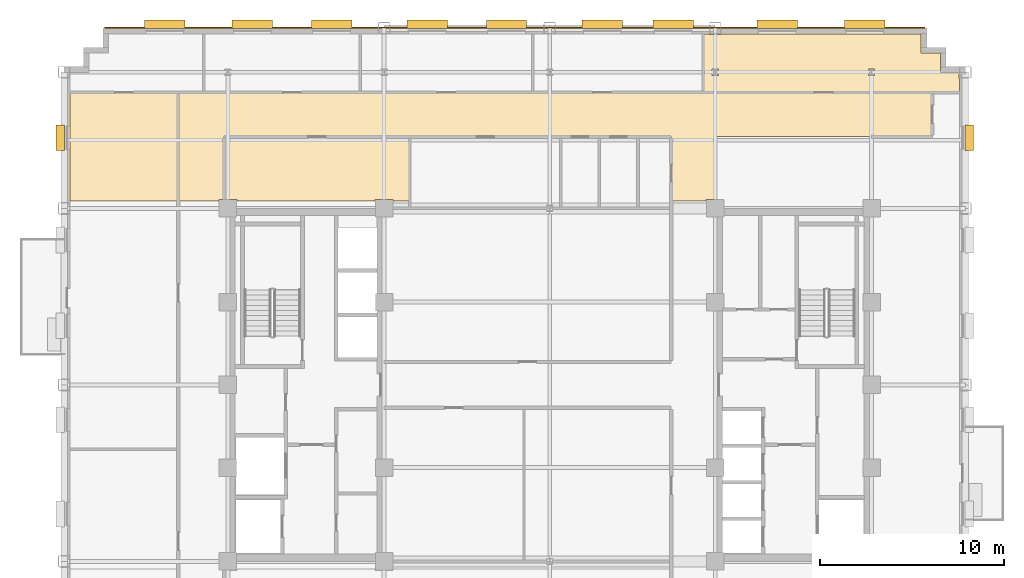
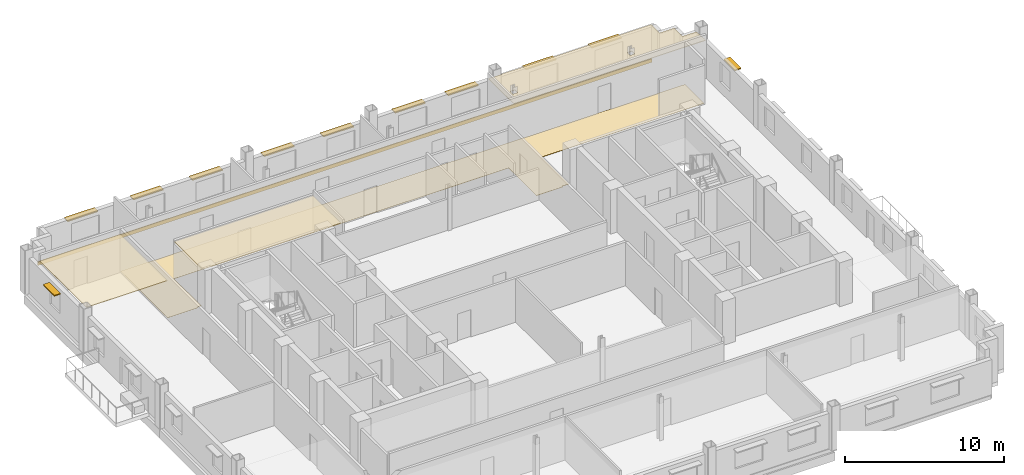
# One storey, part 14 of 14: 11 shading devices, 5 coverings.
"""IFC4 building model written with IfcOpenShell, lengths in metres."""

from ifc_helpers import new_model, si_unit, direction, frame, origin, origin_2d, place, context, subcontext, project, spatial, polyline, rectangle, outline, extrude, source, transform, mapped, material, layer, layer_set, type_object, type_shapes, element, save


model = new_model("IFC4")

# Units and contexts
model_context = context("Model", 3, precision=1e-05, world=origin(), true_north=direction((0.0, 1.0)))
body_context = subcontext(model_context, "Body", "Model", "MODEL_VIEW")
ifc_project = project(units=[si_unit("LENGTHUNIT", "METRE"), si_unit("AREAUNIT", "SQUARE_METRE"), si_unit("VOLUMEUNIT", "CUBIC_METRE"), si_unit("PLANEANGLEUNIT", "RADIAN"), si_unit("MASSUNIT", "GRAM", prefix="KILO")], contexts=[model_context])

# Site, building, storey
site_placement = place(None, origin())
site = spatial("IfcSite", under=ifc_project, at=site_placement, CompositionType="ELEMENT")
building_placement = place(site_placement, origin())
building = spatial("IfcBuilding", under=site, at=building_placement, Name="Nuvemarco Arch Tower", CompositionType="ELEMENT")
storey_placement = place(building_placement, frame((0.0, 0.0, 174.949951171875)))
storey = spatial("IfcBuildingStorey", under=building, at=storey_placement, Name="L46", CompositionType="ELEMENT", Elevation=174.949951171875)

# Coverings
ifc_material_1 = material(Name="Mineral acoustic ceiling tile")
ifc_layer_1 = layer(ifc_material_1, 0.0400390625, Name="COV-ACOUSTIC-CLG")
ifc_layer_set_1 = layer_set([ifc_layer_1], Name="Mineral acoustic ceiling tile")
covering_type_1 = type_object("IfcCoveringType", Name="COV-ACOUSTIC-CLG", PredefinedType="CEILING", material=ifc_layer_set_1)
covering_1_placement = place(storey_placement, frame((0.0, 0.0, 2.85009765625)))
element("IfcCovering", 1, at=covering_1_placement, inside=storey, type_object=covering_type_1, Name="L46 suspended acoustic ceiling 3", PredefinedType="CEILING", context=body_context, shape_type="SweptSolid", body=[
    extrude(outline(polyline([(-26.090087890625, 15.89990234375), (-20.199951171875, 15.89990234375), (-20.199951171875, 13.5), (-20.199951171875, 10.0), (-26.090087890625, 10.0), (-26.090087890625, 15.89990234375)])), origin(), (0.0, 0.0, 1.0), 0.0400390625),
])
covering_2_placement = place(storey_placement, frame((0.0, 0.0, 2.85009765625)))
element("IfcCovering", 2, at=covering_2_placement, inside=storey, type_object=covering_type_1, Name="L46 suspended acoustic ceiling 8", PredefinedType="CEILING", context=body_context, shape_type="SweptSolid", body=[
    extrude(outline(polyline([(22.260009765625, 16.989990234375), (22.260009765625, 16.659912109375), (22.2900390625, 16.659912109375), (22.2900390625, 15.89990234375), (20.800048828125, 15.89990234375), (9.0, 15.89990234375), (8.35009765625, 15.89990234375), (8.35009765625, 19.090087890625), (8.659912109375, 19.090087890625), (8.659912109375, 19.06005859375), (9.340087890625, 19.06005859375), (9.340087890625, 19.090087890625), (20.18994140625, 19.090087890625), (20.18994140625, 18.0400390625), (21.239990234375, 18.0400390625), (21.239990234375, 16.989990234375), (22.260009765625, 16.989990234375)]), holes=[polyline([(9.169921875, 17.169921875), (8.830078125, 17.169921875), (8.830078125, 16.830078125), (9.169921875, 16.830078125), (9.169921875, 17.169921875)]), polyline([(17.669921875, 16.830078125), (17.669921875, 17.169921875), (17.330078125, 17.169921875), (17.330078125, 16.830078125), (17.669921875, 16.830078125)])]), origin(), (0.0, 0.0, 1.0), 0.0400390625),
])
covering_3_placement = place(storey_placement, frame((0.0, 0.0, 2.85009765625)))
element("IfcCovering", 3, at=covering_3_placement, inside=storey, type_object=covering_type_1, Name="L46 suspended acoustic ceiling 9", PredefinedType="CEILING", context=body_context, shape_type="SweptSolid", body=[
    extrude(outline(polyline([(-7.60009765625, 13.5), (-7.60009765625, 10.0), (-8.510009765625, 10.0), (-8.510009765625, 10.090087890625), (-9.489990234375, 10.090087890625), (-9.489990234375, 10.0), (-17.010009765625, 10.0), (-17.010009765625, 10.090087890625), (-17.699951171875, 10.090087890625), (-17.699951171875, 13.5), (-7.60009765625, 13.5)])), origin(), (0.0, 0.0, 1.0), 0.0400390625),
])
ifc_material_2 = material(Name="Polished granite terrazzostone flooring", Category="masonry")
ifc_layer_2 = layer(ifc_material_2, 0.02001953125, Name="COV-LOBBY-FLR")
ifc_layer_set_2 = layer_set([ifc_layer_2], Name="Polished granite terrazzostone flooring")
covering_type_2 = type_object("IfcCoveringType", Name="COV-LOBBY-FLR", PredefinedType="FLOORING", material=ifc_layer_set_2)
covering_4_placement = place(storey_placement, origin())
element("IfcCovering", 4, at=covering_4_placement, inside=storey, type_object=covering_type_2, Name="L46 polished terrazzo lobby flooring", PredefinedType="FLOORING", context=body_context, shape_type="SweptSolid", body=[
    extrude(outline(polyline([(-20.199951171875, 13.5), (-20.199951171875, 15.89990234375), (-17.699951171875, 15.89990234375), (6.60009765625, 15.89990234375), (9.0, 15.89990234375), (20.800048828125, 15.89990234375), (20.800048828125, 13.5), (9.0, 13.5), (9.0, 10.090087890625), (8.510009765625, 10.090087890625), (8.510009765625, 10.0), (6.60009765625, 10.0), (6.60009765625, 13.5), (-17.699951171875, 13.5), (-17.699951171875, 10.090087890625), (-17.989990234375, 10.090087890625), (-17.989990234375, 10.0), (-20.199951171875, 10.0), (-20.199951171875, 13.5)])), origin(), (0.0, 0.0, 1.0), 0.02001953125),
])

# Shading devices
ifc_material_3 = material(Name="Anodised aluminium 6063-T6", Category="aluminium")
shading_device_type_1 = type_object("IfcShadingDeviceType", Name="SHD-BRISE-SOLEIL", PredefinedType="USERDEFINED", material=ifc_material_3)
shared_shape_1 = source(origin(), body_context, "Body", "SweptSolid", [
    extrude(rectangle(XDim=2.199951171875, YDim=0.449951171875, at=origin_2d()), origin(), (0.0, 0.0, 1.0), 0.080078125),
])
type_shapes(shading_device_type_1, [shared_shape_1])
for number, where, z_axis, x_axis, name in (
    (5, (-20.922119140625, 19.614990234375, 2.324951171875), (0.0, 0.0, 1.0), (1.0, 0.0, 0.0), "L46 horizontal brise-soleil sunshade"),
    (6, (-16.166748046875, 19.614990234375, 2.324951171875), (0.0, 0.0, 1.0), (1.0, 0.0, 0.0), "L46 horizontal brise-soleil sunshade"),
    (7, (-11.861083984375, 19.614990234375, 2.324951171875), (0.0, 0.0, 1.0), (1.0, 0.0, 0.0), "L46 horizontal brise-soleil sunshade"),
    (8, (-6.655517578125, 19.614990234375, 2.324951171875), (0.0, 0.0, 1.0), (1.0, 0.0, 0.0), "L46 horizontal brise-soleil sunshade"),
    (9, (-2.35009765625, 19.614990234375, 2.324951171875), (0.0, 0.0, 1.0), (1.0, 0.0, 0.0), "L46 horizontal brise-soleil sunshade"),
    (10, (2.855712890625, 19.614990234375, 2.324951171875), (0.0, 0.0, 1.0), (1.0, 0.0, 0.0), "L46 horizontal brise-soleil sunshade"),
    (11, (6.711181640625, 19.614990234375, 2.324951171875), (0.0, 0.0, 1.0), (1.0, 0.0, 0.0), "L46 horizontal brise-soleil sunshade"),
    (12, (12.36669921875, 19.614990234375, 2.324951171875), (0.0, 0.0, 1.0), (1.0, 0.0, 0.0), "L46 horizontal brise-soleil sunshade"),
    (13, (17.122314453125, 19.614990234375, 2.324951171875), (0.0, 0.0, 1.0), (1.0, 0.0, 0.0), "L46 horizontal brise-soleil sunshade"),
):
    element("IfcShadingDevice", number, at=place(storey_placement, frame(where, z_axis=z_axis, x_axis=x_axis)), inside=storey, type_object=shading_device_type_1, Name=name, ObjectType="SUNSHADE", PredefinedType="USERDEFINED", context=body_context, shape_type="MappedRepresentation", body=[
        mapped(shared_shape_1, transform((0.0, 0.0, 0.0), scale=1.0)),
    ])
shading_device_type_2 = type_object("IfcShadingDeviceType", Name="SHD-BRISE-NARROW", PredefinedType="USERDEFINED", material=ifc_material_3)
shared_shape_2 = source(origin(), body_context, "Body", "SweptSolid", [
    extrude(rectangle(XDim=1.39990234375, YDim=0.449951171875, at=origin_2d()), origin(), (0.0, 0.0, 1.0), 0.080078125),
])
type_shapes(shading_device_type_2, [shared_shape_2])
for number, where, z_axis, x_axis, name in (
    (14, (22.81494140625, 13.437744140625, 2.324951171875), (0.0, 0.0, 1.0), (0.0, 1.0, 0.0), "L46 horizontal brise-soleil sunshade"),
    (15, (-26.614990234375, 13.437744140625, 2.324951171875), (0.0, 0.0, 1.0), (0.0, 1.0, 0.0), "L46 horizontal brise-soleil sunshade"),
):
    element("IfcShadingDevice", number, at=place(storey_placement, frame(where, z_axis=z_axis, x_axis=x_axis)), inside=storey, type_object=shading_device_type_2, Name=name, ObjectType="SUNSHADE", PredefinedType="USERDEFINED", context=body_context, shape_type="MappedRepresentation", body=[
        mapped(shared_shape_2, transform((0.0, 0.0, 0.0), scale=1.0)),
    ])

# Covering
ifc_material_4 = material(Name="Precast concrete C45/55", Category="concrete")
ifc_layer_3 = layer(ifc_material_4, 0.06005859375, Name="COV-SPANDREL-CLAD")
ifc_layer_set_3 = layer_set([ifc_layer_3], Name="Precast concrete C45/55")
covering_type_3 = type_object("IfcCoveringType", Name="COV-SPANDREL-CLAD", PredefinedType="CLADDING", material=ifc_layer_set_3)
shared_shape_3 = source(origin(), body_context, "Body", "SweptSolid", [
    extrude(rectangle(XDim=44.60009765625, YDim=0.06005859375, at=origin_2d()), origin(), (0.0, 0.0, 1.0), 0.280029296875),
])
type_shapes(covering_type_3, [shared_shape_3])
covering_5_placement = place(storey_placement, frame((-1.89990234375, 19.428955078125, -0.27978515625), z_axis=(0.0, 0.0, 1.0), x_axis=(1.0, 0.0, 0.0)))
element("IfcCovering", 16, at=covering_5_placement, inside=storey, type_object=covering_type_3, Name="L46 precast spandrel edge cladding north", PredefinedType="CLADDING", context=body_context, shape_type="MappedRepresentation", body=[
    mapped(shared_shape_3, transform((0.0, 0.0, 0.0), scale=1.0)),
])

save(model, "model.ifc")
